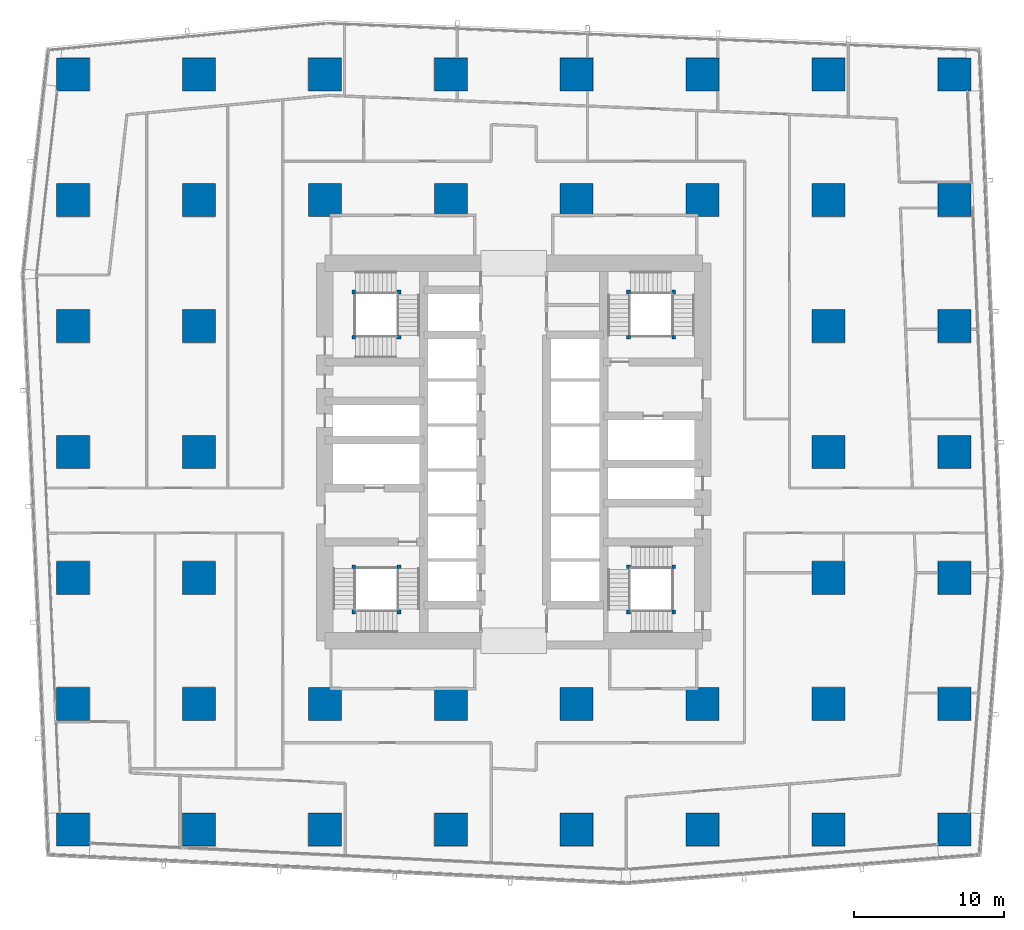
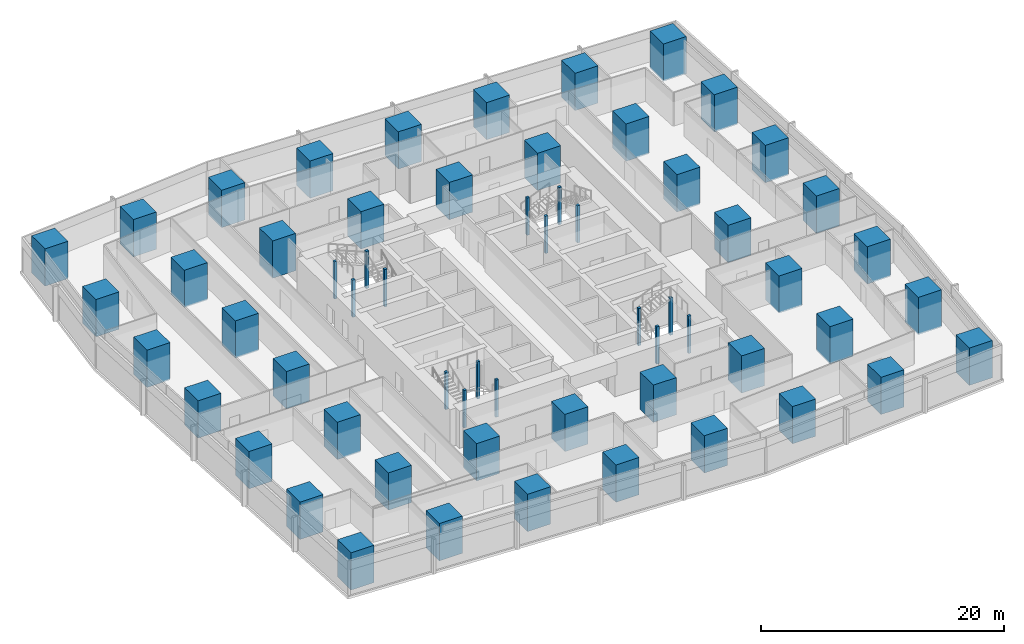
# One storey, part 1 of 44: 60 columns.
"""IFC4 building model written with IfcOpenShell, lengths in metres."""

from ifc_helpers import new_model, si_unit, direction, frame, origin, origin_2d, place, context, subcontext, project, spatial, rectangle, extrude, material, material_profile, profile_set, type_object, element, save


model = new_model("IFC4")

# Units and contexts
model_context = context("Model", 3, precision=1e-05, world=origin(), true_north=direction((0.0, 1.0)))
body_context = subcontext(model_context, "Body", "Model", "MODEL_VIEW")
ifc_project = project(units=[si_unit("LENGTHUNIT", "METRE"), si_unit("AREAUNIT", "SQUARE_METRE"), si_unit("VOLUMEUNIT", "CUBIC_METRE"), si_unit("PLANEANGLEUNIT", "RADIAN"), si_unit("MASSUNIT", "GRAM", prefix="KILO")], contexts=[model_context])

# Site, building, storey
site_placement = place(None, origin())
site = spatial("IfcSite", under=ifc_project, at=site_placement, CompositionType="ELEMENT")
building_placement = place(site_placement, origin())
building = spatial("IfcBuilding", under=site, at=building_placement, Name="Rekha Terrace Tower", CompositionType="ELEMENT")
storey_placement = place(building_placement, frame((0.0, 0.0, 51.64990234375)))
storey = spatial("IfcBuildingStorey", under=building, at=storey_placement, Name="L12", CompositionType="ELEMENT", Elevation=51.64990234375)

# Columns
ifc_material_1 = material(Name="Concrete M70", Category="concrete")
ifc_material_profile_1 = material_profile(ifc_material_1, rectangle(XDim=2.199951171875, YDim=2.199951171875, at=origin_2d()), Name="RC 2200x2200")
ifc_profile_set_1 = profile_set([ifc_material_profile_1], Name="Concrete M70")
column_type_1 = type_object("IfcColumnType", Name="C2 2200x2200 column", PredefinedType="COLUMN", material=ifc_profile_set_1)
for number, where, z_axis, x_axis, name in (
    (1, (8.39990234375, 8.39990234375, 0.0), (0.0, 0.0, 1.0), (1.0, 0.0, 0.0), "Column C2 2/B L12"),
    (2, (8.39990234375, 16.800048828125, 0.0), (0.0, 0.0, 1.0), (1.0, 0.0, 0.0), "Column C2 2/C L12"),
    (3, (8.39990234375, 25.199951171875, 0.0), (0.0, 0.0, 1.0), (1.0, 0.0, 0.0), "Column C2 2/D L12"),
    (4, (8.39990234375, 33.60009765625, 0.0), (0.0, 0.0, 1.0), (1.0, 0.0, 0.0), "Column C2 2/E L12"),
    (5, (8.39990234375, 42.0, 0.0), (0.0, 0.0, 1.0), (1.0, 0.0, 0.0), "Column C2 2/F L12"),
    (6, (8.39990234375, 50.39990234375, 0.0), (0.0, 0.0, 1.0), (1.0, 0.0, 0.0), "Column C2 2/G L12"),
    (7, (8.39990234375, 58.800048828125, 0.0), (0.0, 0.0, 1.0), (1.0, 0.0, 0.0), "Column C2 2/H L12"),
    (8, (16.800048828125, 8.39990234375, 0.0), (0.0, 0.0, 1.0), (1.0, 0.0, 0.0), "Column C2 3/B L12"),
    (9, (16.800048828125, 16.800048828125, 0.0), (0.0, 0.0, 1.0), (1.0, 0.0, 0.0), "Column C2 3/C L12"),
    (10, (16.800048828125, 25.199951171875, 0.0), (0.0, 0.0, 1.0), (1.0, 0.0, 0.0), "Column C2 3/D L12"),
    (11, (16.800048828125, 33.60009765625, 0.0), (0.0, 0.0, 1.0), (1.0, 0.0, 0.0), "Column C2 3/E L12"),
    (12, (16.800048828125, 42.0, 0.0), (0.0, 0.0, 1.0), (1.0, 0.0, 0.0), "Column C2 3/F L12"),
    (13, (16.800048828125, 50.39990234375, 0.0), (0.0, 0.0, 1.0), (1.0, 0.0, 0.0), "Column C2 3/G L12"),
    (14, (16.800048828125, 58.800048828125, 0.0), (0.0, 0.0, 1.0), (1.0, 0.0, 0.0), "Column C2 3/H L12"),
    (15, (25.199951171875, 8.39990234375, 0.0), (0.0, 0.0, 1.0), (1.0, 0.0, 0.0), "Column C2 4/B L12"),
    (16, (25.199951171875, 16.800048828125, 0.0), (0.0, 0.0, 1.0), (1.0, 0.0, 0.0), "Column C2 4/C L12"),
    (17, (25.199951171875, 50.39990234375, 0.0), (0.0, 0.0, 1.0), (1.0, 0.0, 0.0), "Column C2 4/G L12"),
    (18, (25.199951171875, 58.800048828125, 0.0), (0.0, 0.0, 1.0), (1.0, 0.0, 0.0), "Column C2 4/H L12"),
    (19, (33.60009765625, 8.39990234375, 0.0), (0.0, 0.0, 1.0), (1.0, 0.0, 0.0), "Column C2 5/B L12"),
    (20, (33.60009765625, 16.800048828125, 0.0), (0.0, 0.0, 1.0), (1.0, 0.0, 0.0), "Column C2 5/C L12"),
    (21, (33.60009765625, 50.39990234375, 0.0), (0.0, 0.0, 1.0), (1.0, 0.0, 0.0), "Column C2 5/G L12"),
    (22, (33.60009765625, 58.800048828125, 0.0), (0.0, 0.0, 1.0), (1.0, 0.0, 0.0), "Column C2 5/H L12"),
    (23, (42.0, 8.39990234375, 0.0), (0.0, 0.0, 1.0), (1.0, 0.0, 0.0), "Column C2 6/B L12"),
    (24, (42.0, 16.800048828125, 0.0), (0.0, 0.0, 1.0), (1.0, 0.0, 0.0), "Column C2 6/C L12"),
    (25, (42.0, 50.39990234375, 0.0), (0.0, 0.0, 1.0), (1.0, 0.0, 0.0), "Column C2 6/G L12"),
    (26, (42.0, 58.800048828125, 0.0), (0.0, 0.0, 1.0), (1.0, 0.0, 0.0), "Column C2 6/H L12"),
    (27, (50.39990234375, 8.39990234375, 0.0), (0.0, 0.0, 1.0), (1.0, 0.0, 0.0), "Column C2 7/B L12"),
    (28, (50.39990234375, 16.800048828125, 0.0), (0.0, 0.0, 1.0), (1.0, 0.0, 0.0), "Column C2 7/C L12"),
    (29, (50.39990234375, 50.39990234375, 0.0), (0.0, 0.0, 1.0), (1.0, 0.0, 0.0), "Column C2 7/G L12"),
    (30, (50.39990234375, 58.800048828125, 0.0), (0.0, 0.0, 1.0), (1.0, 0.0, 0.0), "Column C2 7/H L12"),
    (31, (58.800048828125, 8.39990234375, 0.0), (0.0, 0.0, 1.0), (1.0, 0.0, 0.0), "Column C2 8/B L12"),
    (32, (58.800048828125, 16.800048828125, 0.0), (0.0, 0.0, 1.0), (1.0, 0.0, 0.0), "Column C2 8/C L12"),
    (33, (58.800048828125, 25.199951171875, 0.0), (0.0, 0.0, 1.0), (1.0, 0.0, 0.0), "Column C2 8/D L12"),
    (34, (58.800048828125, 33.60009765625, 0.0), (0.0, 0.0, 1.0), (1.0, 0.0, 0.0), "Column C2 8/E L12"),
    (35, (58.800048828125, 42.0, 0.0), (0.0, 0.0, 1.0), (1.0, 0.0, 0.0), "Column C2 8/F L12"),
    (36, (58.800048828125, 50.39990234375, 0.0), (0.0, 0.0, 1.0), (1.0, 0.0, 0.0), "Column C2 8/G L12"),
    (37, (58.800048828125, 58.800048828125, 0.0), (0.0, 0.0, 1.0), (1.0, 0.0, 0.0), "Column C2 8/H L12"),
    (38, (67.199951171875, 8.39990234375, 0.0), (0.0, 0.0, 1.0), (1.0, 0.0, 0.0), "Column C2 9/B L12"),
    (39, (67.199951171875, 16.800048828125, 0.0), (0.0, 0.0, 1.0), (1.0, 0.0, 0.0), "Column C2 9/C L12"),
    (40, (67.199951171875, 25.199951171875, 0.0), (0.0, 0.0, 1.0), (1.0, 0.0, 0.0), "Column C2 9/D L12"),
    (41, (67.199951171875, 33.60009765625, 0.0), (0.0, 0.0, 1.0), (1.0, 0.0, 0.0), "Column C2 9/E L12"),
    (42, (67.199951171875, 42.0, 0.0), (0.0, 0.0, 1.0), (1.0, 0.0, 0.0), "Column C2 9/F L12"),
    (43, (67.199951171875, 50.39990234375, 0.0), (0.0, 0.0, 1.0), (1.0, 0.0, 0.0), "Column C2 9/G L12"),
    (44, (67.199951171875, 58.800048828125, 0.0), (0.0, 0.0, 1.0), (1.0, 0.0, 0.0), "Column C2 9/H L12"),
):
    element("IfcColumn", number, at=place(storey_placement, frame(where, z_axis=z_axis, x_axis=x_axis)), inside=storey, type_object=column_type_1, Name=name, PredefinedType="COLUMN", context=body_context, shape_type="SweptSolid", body=[
        extrude(rectangle(XDim=2.199951171875, YDim=2.199951171875, at=origin_2d()), origin(), (0.0, 0.0, 1.0), 3.75),
    ])
ifc_material_2 = material(Name="Concrete M60", Category="concrete")
ifc_material_profile_2 = material_profile(ifc_material_2, rectangle(XDim=0.25, YDim=0.25, at=origin_2d()), Name="RC 250x250")
ifc_profile_set_2 = profile_set([ifc_material_profile_2], Name="Concrete M60")
column_type_2 = type_object("IfcColumnType", Name="NP1 250x250 stair newel post", PredefinedType="COLUMN", material=ifc_profile_set_2)
for number, where, z_axis, x_axis, name in (
    (45, (30.14990234375, 25.949951171875, 0.0), (0.0, 0.0, 1.0), (1.0, 0.0, 0.0), "Stair newel post NP1"),
    (46, (30.14990234375, 22.925048828125, 0.0), (0.0, 0.0, 1.0), (1.0, 0.0, 0.0), "Stair newel post NP1"),
    (47, (27.125, 22.925048828125, 0.0), (0.0, 0.0, 1.0), (1.0, 0.0, 0.0), "Stair newel post NP1"),
    (48, (27.125, 25.949951171875, 0.0), (0.0, 0.0, 1.0), (1.0, 0.0, 0.0), "Stair newel post NP1"),
    (49, (45.449951171875, 41.25, 0.0), (0.0, 0.0, 1.0), (1.0, 0.0, 0.0), "Stair newel post NP1"),
    (50, (45.449951171875, 44.27490234375, 0.0), (0.0, 0.0, 1.0), (1.0, 0.0, 0.0), "Stair newel post NP1"),
    (51, (48.47509765625, 44.27490234375, 0.0), (0.0, 0.0, 1.0), (1.0, 0.0, 0.0), "Stair newel post NP1"),
    (52, (48.47509765625, 41.25, 0.0), (0.0, 0.0, 1.0), (1.0, 0.0, 0.0), "Stair newel post NP1"),
    (53, (48.47509765625, 22.925048828125, 0.0), (0.0, 0.0, 1.0), (1.0, 0.0, 0.0), "Stair newel post NP1"),
    (54, (45.449951171875, 22.925048828125, 0.0), (0.0, 0.0, 1.0), (1.0, 0.0, 0.0), "Stair newel post NP1"),
    (55, (45.449951171875, 25.949951171875, 0.0), (0.0, 0.0, 1.0), (1.0, 0.0, 0.0), "Stair newel post NP1"),
    (56, (48.47509765625, 25.949951171875, 0.0), (0.0, 0.0, 1.0), (1.0, 0.0, 0.0), "Stair newel post NP1"),
    (57, (27.125, 41.25, 0.0), (0.0, 0.0, 1.0), (1.0, 0.0, 0.0), "Stair newel post NP1"),
    (58, (30.14990234375, 41.25, 0.0), (0.0, 0.0, 1.0), (1.0, 0.0, 0.0), "Stair newel post NP1"),
    (59, (30.14990234375, 44.27490234375, 0.0), (0.0, 0.0, 1.0), (1.0, 0.0, 0.0), "Stair newel post NP1"),
    (60, (27.125, 44.27490234375, 0.0), (0.0, 0.0, 1.0), (1.0, 0.0, 0.0), "Stair newel post NP1"),
):
    element("IfcColumn", number, at=place(storey_placement, frame(where, z_axis=z_axis, x_axis=x_axis)), inside=storey, type_object=column_type_2, Name=name, PredefinedType="COLUMN", context=body_context, shape_type="SweptSolid", body=[
        extrude(rectangle(XDim=0.25, YDim=0.25, at=origin_2d()), origin(), (0.0, 0.0, 1.0), 3.75),
    ])

save(model, "model.ifc")
